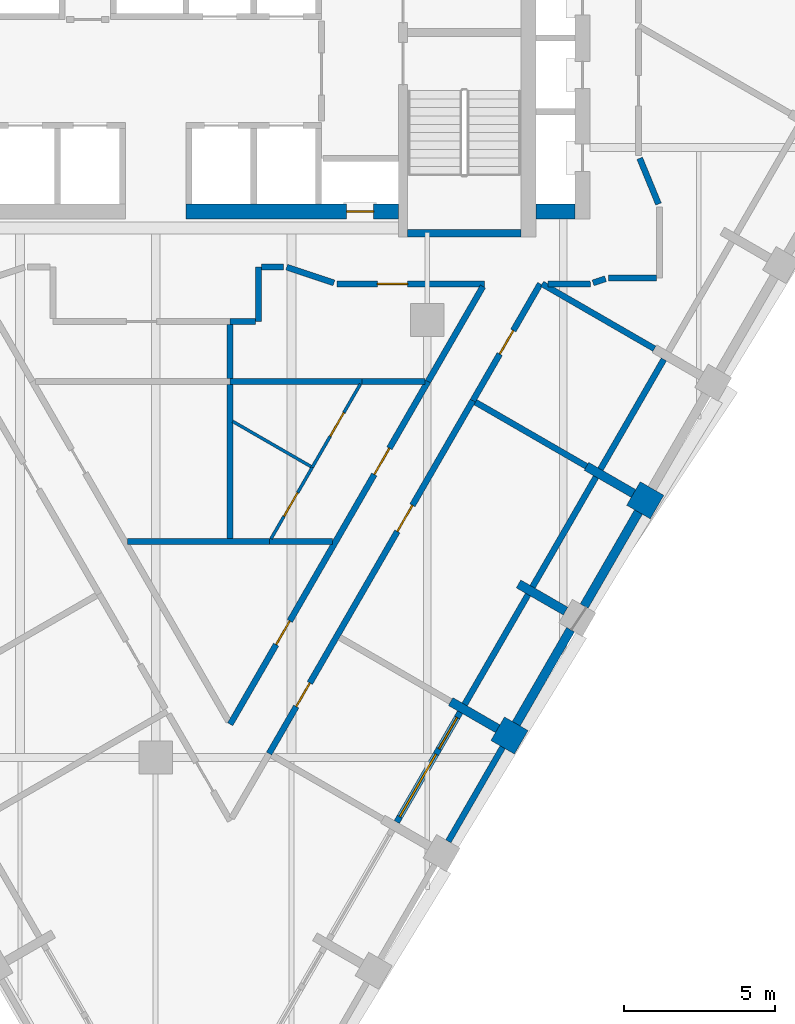
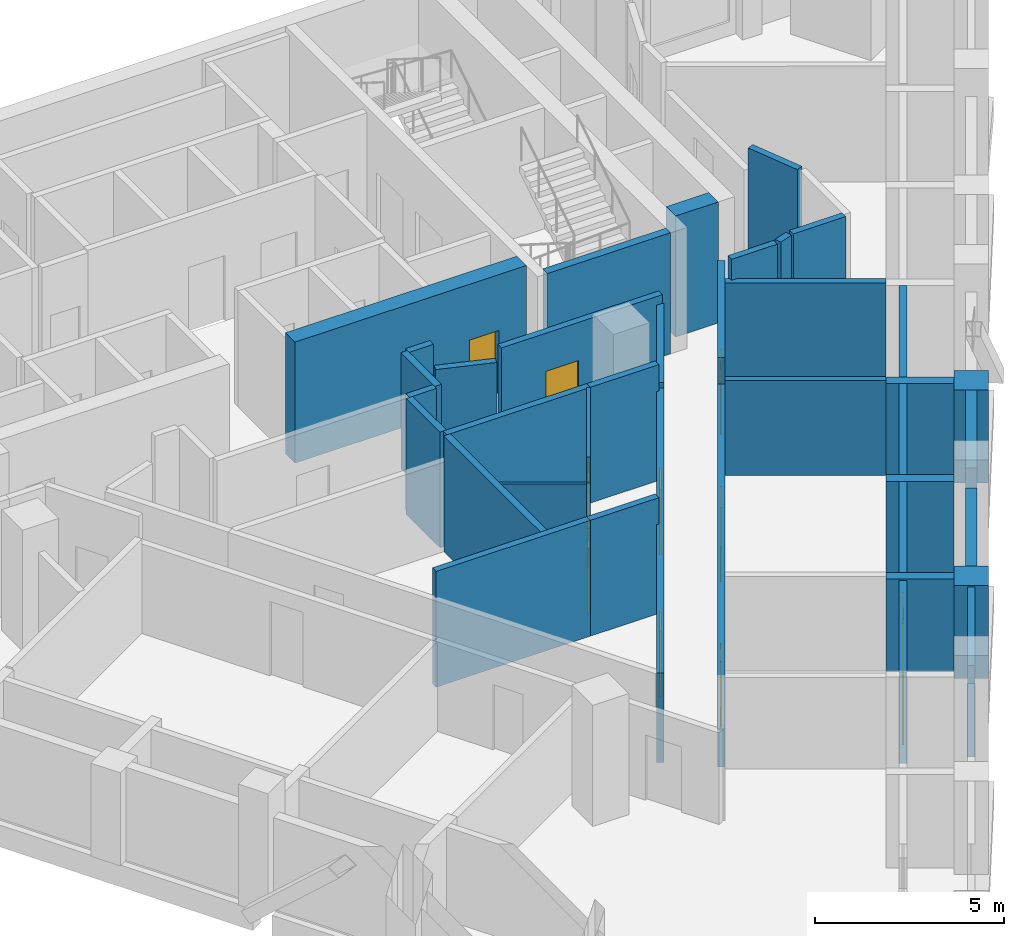
# One storey, part 4 of 9: 39 walls, 10 doors, 1 window, 11 openings.
"""IFC4 building model written with IfcOpenShell, lengths in metres."""

from ifc_helpers import new_model, si_unit, direction, frame, frame_2d, origin, place, context, subcontext, project, spatial, rectangle, extrude, material, layer, layer_set, type_object, element, fill, save


model = new_model("IFC4")

# Units and contexts
model_context = context("Model", 3, precision=1e-05, world=origin(), true_north=direction((0.0, 1.0)))
body_context = subcontext(model_context, "Body", "Model", "MODEL_VIEW")
ifc_project = project(units=[si_unit("LENGTHUNIT", "METRE"), si_unit("AREAUNIT", "SQUARE_METRE"), si_unit("VOLUMEUNIT", "CUBIC_METRE"), si_unit("PLANEANGLEUNIT", "RADIAN"), si_unit("MASSUNIT", "GRAM", prefix="KILO")], contexts=[model_context])

# Site, building, storey
site_placement = place(None, origin())
site = spatial("IfcSite", under=ifc_project, at=site_placement, CompositionType="ELEMENT")
building_placement = place(site_placement, origin())
building = spatial("IfcBuilding", under=site, at=building_placement, Name="Calabash Gate Tower", CompositionType="ELEMENT")
storey_placement = place(building_placement, frame((0.0, 0.0, 212.0)))
storey = spatial("IfcBuildingStorey", under=building, at=storey_placement, Name="L50", CompositionType="ELEMENT", Elevation=212.0)

# Walls
ifc_material_1 = material(Name="Terracotta brick masonry, exposed face", Category="masonry")
ifc_layer_1 = layer(ifc_material_1, 0.89990234375)
ifc_layer_set_1 = layer_set([ifc_layer_1], Name="Brick end wall 900")
wall_type_1 = type_object("IfcWallType", Name="Brick end wall 900", PredefinedType="SOLIDWALL", material=ifc_layer_set_1)
wall_1_placement = place(storey_placement, frame((11.49755859375, -11.65576171875, 0.0), z_axis=(0.0, 0.0, 1.0), x_axis=(0.50001992892, 0.866013897511, 0.0)))
element("IfcWall", 1, at=wall_1_placement, inside=storey, type_object=wall_type_1, Name="Brick pier S14 SE2.3", PredefinedType="SOLIDWALL", context=body_context, shape_type="SweptSolid", body=[
    extrude(rectangle(XDim=0.89990234375, YDim=0.89990234375, at=frame_2d((0.449951171875, 0.0))), origin(), (0.0, 0.0, 1.0), 3.0),
])
wall_2_placement = place(storey_placement, frame((16.6123046875, -3.697021484375, 0.0), z_axis=(0.0, 0.0, 1.0), x_axis=(-0.865964261186, 0.500105887137, 0.0)))
element("IfcWall", 2, at=wall_2_placement, inside=storey, type_object=wall_type_1, Name="Brick pier S14 SE2.5", PredefinedType="SOLIDWALL", context=body_context, shape_type="SweptSolid", body=[
    extrude(rectangle(XDim=0.900146484375, YDim=0.89990234375, at=frame_2d((0.4501953125, 0.0))), origin(), (0.0, 0.0, 1.0), 3.0),
])
ifc_material_2 = material(Name="Terracotta brick masonry, exposed face", Category="masonry")
ifc_layer_2 = layer(ifc_material_2, 0.300048828125)
ifc_layer_set_2 = layer_set([ifc_layer_2], Name="Brick infill panel wall 300")
wall_type_2 = type_object("IfcWallType", Name="Brick infill panel wall 300", PredefinedType="SOLIDWALL", material=ifc_layer_set_2)
for number, where, z_axis, x_axis, name in (
    (3, (11.947509765625, -10.87646484375, 0.0), (0.0, 0.0, 1.0), (0.500012057535, 0.866018442252, 0.0), "Brick panel S14 SE2.4"),
    (4, (14.197509765625, -6.979248046875, 0.0), (0.0, 0.0, 1.0), (0.500012057535, 0.866018442252, 0.0), "Brick panel S14 SE2.5"),
):
    element("IfcWall", number, at=place(storey_placement, frame(where, z_axis=z_axis, x_axis=x_axis)), inside=storey, type_object=wall_type_2, Name=name, PredefinedType="SOLIDWALL", context=body_context, shape_type="SweptSolid", body=[
        extrude(rectangle(XDim=3.60009765625, YDim=0.300048828125, at=frame_2d((1.800048828125, 0.0))), origin(), (0.0, 0.0, 1.0), 3.0),
    ])
ifc_material_3 = material(Name="Terracotta brick masonry, exposed face", Category="masonry")
ifc_layer_3 = layer(ifc_material_3, 0.300048828125)
ifc_layer_set_3 = layer_set([ifc_layer_3], Name="Brick loggia cheek wall 300")
wall_type_3 = type_object("IfcWallType", Name="Brick loggia cheek wall 300", PredefinedType="SOLIDWALL", material=ifc_layer_set_3)
for number, where, z_axis, x_axis, name in (
    (5, (11.332763671875, -11.041259765625, 0.0), (0.0, 0.0, 1.0), (-0.865989075817, 0.500062916607, 0.0), "Loggia cheek S14 SE2.3"),
    (6, (12.02392578125, -6.244140625, 0.0), (0.0, 0.0, 1.0), (0.866047807691, -0.499961193289, 0.0), "Loggia cheek S14 SE2.4"),
    (7, (15.832763671875, -3.246826171875, 0.0), (0.0, 0.0, 1.0), (-0.866047807691, 0.499961193289, 0.0), "Loggia cheek S14 SE2.5"),
):
    element("IfcWall", number, at=place(storey_placement, frame(where, z_axis=z_axis, x_axis=x_axis)), inside=storey, type_object=wall_type_3, Name=name, PredefinedType="SOLIDWALL", context=body_context, shape_type="SweptSolid", body=[
        extrude(rectangle(XDim=1.800048828125, YDim=0.300048828125, at=frame_2d((0.89990234375, 0.0))), origin(), (0.0, 0.0, 1.0), 3.0),
    ])
ifc_material_4 = material(Name="Concrete C70/85", Category="concrete")
ifc_layer_4 = layer(ifc_material_4, 0.25)
ifc_layer_set_4 = layer_set([ifc_layer_4], Name="Core wall 250 Concrete C70/85")
wall_type_4 = type_object("IfcWallType", Name="Core wall 250 Concrete C70/85", PredefinedType="SHEAR", material=ifc_layer_set_4)
wall_3_placement = place(storey_placement, frame((8.35009765625, 5.377685546875, 0.0), z_axis=(0.0, 0.0, 1.0), x_axis=(1.0, 0.0, 0.0)))
element("IfcWall", 8, at=wall_3_placement, inside=storey, type_object=wall_type_4, Name="Core wall Z4-SSE L50", PredefinedType="SHEAR", context=body_context, shape_type="SweptSolid", body=[
    extrude(rectangle(XDim=3.75, YDim=0.25, at=frame_2d((1.875, 0.0))), origin(), (0.0, 0.0, 1.0), 3.89990234375),
])

# Wall, opening, door
ifc_material_5 = material(Name="Concrete C70/85", Category="concrete")
ifc_layer_5 = layer(ifc_material_5, 0.5)
ifc_layer_set_5 = layer_set([ifc_layer_5], Name="Core wall 500 Concrete C70/85")
wall_type_5 = type_object("IfcWallType", Name="Core wall 500 Concrete C70/85", PredefinedType="SHEAR", material=ifc_layer_set_5)
wall_4_placement = place(storey_placement, frame((1.0, 6.1025390625, 0.0), z_axis=(0.0, 0.0, 1.0), x_axis=(1.0, 0.0, 0.0)))
wall_4 = element("IfcWall", 9, at=wall_4_placement, inside=storey, type_object=wall_type_5, Name="Core wall Z4-SB L50", PredefinedType="SHEAR", context=body_context, shape_type="SweptSolid", body=[
    extrude(rectangle(XDim=7.050048828125, YDim=0.5, at=frame_2d((3.52490234375, 0.0))), origin(), (0.0, 0.0, 1.0), 3.89990234375),
])
opening_1_placement = place(wall_4_placement, frame((5.324951171875, 0.0, 0.0)))
opening_1 = element("IfcOpeningElement", 10, at=opening_1_placement, cuts=wall_4, Name="Opening O6-015", PredefinedType="OPENING", context=body_context, shape_type="SweptSolid", body=[
    extrude(rectangle(XDim=0.89990234375, YDim=2.10009765625, at=frame_2d((0.449951171875, 1.050048828125))), frame((0.0, 0.260009765625, 0.0), z_axis=(0.0, -1.0, 0.0), x_axis=(1.0, 0.0, 0.0)), (0.0, 0.0, 1.0), 0.52001953125),
])
ifc_material_6 = material(Name="Steel fire door set with fire-resisting glazing", Category="steel")
door_type_1 = type_object("IfcDoorType", Name="Fire door D07 900x2100 FD90", OperationType="NOTDEFINED", PredefinedType="DOOR", material=ifc_material_6)
door_1_placement = place(opening_1_placement, origin())
door_1 = element("IfcDoor", 11, at=door_1_placement, inside=storey, type_object=door_type_1, Name="Mechanical Riser E door", OperationType="SINGLE_SWING_RIGHT", OverallHeight=2.10009765625, OverallWidth=0.89990234375, PredefinedType="DOOR", context=body_context, shape_type="SweptSolid", body=[
    extrude(rectangle(XDim=0.89990234375, YDim=2.10009765625, at=frame_2d((0.449951171875, 1.050048828125))), frame((0.0, 0.02490234375, 0.0), z_axis=(0.0, -1.0, 0.0), x_axis=(1.0, 0.0, 0.0)), (0.0, 0.0, 1.0), 0.050048828125),
])
fill(opening_1, door_1)

# Wall
wall_5_placement = place(storey_placement, frame((12.60009765625, 6.1025390625, 0.0), z_axis=(0.0, 0.0, 1.0), x_axis=(1.0, 0.0, 0.0)))
element("IfcWall", 12, at=wall_5_placement, inside=storey, type_object=wall_type_5, Name="Core wall Z4-SE L50", PredefinedType="SHEAR", context=body_context, shape_type="SweptSolid", body=[
    extrude(rectangle(XDim=1.2998046875, YDim=0.5, at=frame_2d((0.64990234375, 0.0))), origin(), (0.0, 0.0, 1.0), 3.89990234375),
])

# Wall, opening, door
ifc_material_7 = material(Name="Gypsum board on steel studs, mineral wool", Category="steel")
ifc_layer_6 = layer(ifc_material_7, 0.10009765625)
ifc_layer_set_6 = layer_set([ifc_layer_6], Name="Partition 100 gypsum board")
wall_type_6 = type_object("IfcWallType", Name="Partition 100 gypsum board", PredefinedType="PARTITIONING", material=ifc_layer_set_6)
wall_6_placement = place(storey_placement, frame((3.821044921875, -4.748291015625, 0.0), z_axis=(0.0, 0.0, 1.0), x_axis=(0.500518638442, 0.865725760603, 0.0)))
wall_6 = element("IfcWall", 13, at=wall_6_placement, inside=storey, type_object=wall_type_6, Name="Partition", PredefinedType="PARTITIONING", context=body_context, shape_type="SweptSolid", body=[
    extrude(rectangle(XDim=2.7333984375, YDim=0.10009765625, at=frame_2d((1.36669921875, 0.0))), origin(), (0.0, 0.0, 1.0), 2.884033203125),
])
opening_2_placement = place(wall_6_placement, frame((0.8671875, 0.0, 0.0)))
opening_2 = element("IfcOpeningElement", 14, at=opening_2_placement, cuts=wall_6, Name="Opening 49-51-017", PredefinedType="OPENING", context=body_context, shape_type="SweptSolid", body=[
    extrude(rectangle(XDim=0.89990234375, YDim=2.10009765625, at=frame_2d((0.449951171875, 1.050048828125))), frame((0.0, 0.06005859375, 0.0), z_axis=(0.0, -1.0, 0.0), x_axis=(1.0, 0.0, 0.0)), (0.0, 0.0, 1.0), 0.1201171875),
])
ifc_material_8 = material(Name="Painted timber door", Category="wood")
door_type_2 = type_object("IfcDoorType", Name="WD1 WC door 900x2100", OperationType="NOTDEFINED", PredefinedType="DOOR", material=ifc_material_8)
door_2_placement = place(opening_2_placement, origin())
door_2 = element("IfcDoor", 15, at=door_2_placement, inside=storey, type_object=door_type_2, Name="WC door", OperationType="SINGLE_SWING_LEFT", OverallHeight=2.10009765625, OverallWidth=0.89990234375, PredefinedType="DOOR", context=body_context, shape_type="SweptSolid", body=[
    extrude(rectangle(XDim=0.89990234375, YDim=2.10009765625, at=frame_2d((0.449951171875, 1.050048828125))), frame((0.0, 0.02490234375, 0.0), z_axis=(0.0, -1.0, 0.0), x_axis=(1.0, 0.0, 0.0)), (0.0, 0.0, 1.0), 0.050048828125),
])
fill(opening_2, door_2)

wall_7_placement = place(storey_placement, frame((5.188720703125, -2.37939453125, 0.0), z_axis=(0.0, 0.0, 1.0), x_axis=(0.500398861512, 0.865794998482, 0.0)))
wall_7 = element("IfcWall", 16, at=wall_7_placement, inside=storey, type_object=wall_type_6, Name="Partition", PredefinedType="PARTITIONING", context=body_context, shape_type="SweptSolid", body=[
    extrude(rectangle(XDim=3.1865234375, YDim=0.10009765625, at=frame_2d((1.59326171875, 0.0))), origin(), (0.0, 0.0, 1.0), 3.72998046875),
])
opening_3_placement = place(wall_7_placement, frame((1.1923828125, 0.0, 0.0)))
opening_3 = element("IfcOpeningElement", 17, at=opening_3_placement, cuts=wall_7, Name="Opening 49-51-018", PredefinedType="OPENING", context=body_context, shape_type="SweptSolid", body=[
    extrude(rectangle(XDim=0.89990234375, YDim=2.10009765625, at=frame_2d((0.449951171875, 1.050048828125))), frame((0.0, 0.06005859375, 0.0), z_axis=(0.0, -1.0, 0.0), x_axis=(1.0, 0.0, 0.0)), (0.0, 0.0, 1.0), 0.1201171875),
])
door_3_placement = place(opening_3_placement, origin())
door_3 = element("IfcDoor", 18, at=door_3_placement, inside=storey, type_object=door_type_2, Name="WC door", OperationType="SINGLE_SWING_RIGHT", OverallHeight=2.10009765625, OverallWidth=0.89990234375, PredefinedType="DOOR", context=body_context, shape_type="SweptSolid", body=[
    extrude(rectangle(XDim=0.89990234375, YDim=2.10009765625, at=frame_2d((0.449951171875, 1.050048828125))), frame((0.0, 0.02490234375, 0.0), z_axis=(0.0, -1.0, 0.0), x_axis=(1.0, 0.0, 0.0)), (0.0, 0.0, 1.0), 0.050048828125),
])
fill(opening_3, door_3)

# Wall
wall_8_placement = place(storey_placement, frame((2.552490234375, -0.857666015625, 0.0), z_axis=(0.0, 0.0, 1.0), x_axis=(0.866076950936, -0.499910707084, 0.0)))
element("IfcWall", 19, at=wall_8_placement, inside=storey, type_object=wall_type_6, Name="Partition", PredefinedType="PARTITIONING", context=body_context, shape_type="SweptSolid", body=[
    extrude(rectangle(XDim=2.99365234375, YDim=0.10009765625, at=frame_2d((1.496826171875, 0.0))), origin(), (0.0, 0.0, 1.0), 2.884033203125),
])

# Wall, openings, doors
ifc_material_9 = material(Name="Gypsum board on steel studs, mineral wool", Category="steel")
ifc_layer_7 = layer(ifc_material_9, 0.199951171875)
ifc_layer_set_7 = layer_set([ifc_layer_7], Name="Partition 200 gypsum board EI 60")
wall_type_7 = type_object("IfcWallType", Name="Partition 200 gypsum board EI 60", PredefinedType="PARTITIONING", material=ifc_layer_set_7)
wall_9_placement = place(storey_placement, frame((2.46923828125, -10.89306640625, 0.0), z_axis=(0.0, 0.0, 1.0), x_axis=(0.499769731946, 0.866158308296, 0.0)))
wall_9 = element("IfcWall", 20, at=wall_9_placement, inside=storey, type_object=wall_type_7, Name="Partition", PredefinedType="PARTITIONING", context=body_context, shape_type="SweptSolid", body=[
    extrude(rectangle(XDim=13.113037109375, YDim=0.199951171875, at=frame_2d((6.556640625, 0.0))), origin(), (0.0, 0.0, 1.0), 2.884033203125),
])
opening_4_placement = place(wall_9_placement, frame((3.047607421875, 0.0, 0.0)))
opening_4 = element("IfcOpeningElement", 21, at=opening_4_placement, cuts=wall_9, Name="Opening 49-51-009", PredefinedType="OPENING", context=body_context, shape_type="SweptSolid", body=[
    extrude(rectangle(XDim=0.89990234375, YDim=2.10009765625, at=frame_2d((0.449951171875, 1.050048828125))), frame((0.0, 0.10986328125, 0.0), z_axis=(0.0, -1.0, 0.0), x_axis=(1.0, 0.0, 0.0)), (0.0, 0.0, 1.0), 0.219970703125),
])
opening_5_placement = place(wall_9_placement, frame((9.5556640625, 0.0, 0.0)))
opening_5 = element("IfcOpeningElement", 22, at=opening_5_placement, cuts=wall_9, Name="Opening 49-51-016", PredefinedType="OPENING", context=body_context, shape_type="SweptSolid", body=[
    extrude(rectangle(XDim=1.0, YDim=2.10009765625, at=frame_2d((0.5, 1.050048828125))), frame((0.0, 0.10986328125, 0.0), z_axis=(0.0, -1.0, 0.0), x_axis=(1.0, 0.0, 0.0)), (0.0, 0.0, 1.0), 0.219970703125),
])
ifc_material_10 = material(Name="Steel fire door set with fire-resisting glazing", Category="steel")
door_type_3 = type_object("IfcDoorType", Name="SD3 Store door 900x2100", OperationType="NOTDEFINED", PredefinedType="DOOR", material=ifc_material_10)
door_4_placement = place(opening_4_placement, origin())
door_4 = element("IfcDoor", 23, at=door_4_placement, inside=storey, type_object=door_type_3, Name="Store door", OperationType="SINGLE_SWING_LEFT", OverallHeight=2.10009765625, OverallWidth=0.89990234375, PredefinedType="DOOR", context=body_context, shape_type="SweptSolid", body=[
    extrude(rectangle(XDim=0.89990234375, YDim=2.10009765625, at=frame_2d((0.449951171875, 1.050048828125))), frame((0.0, 0.02490234375, 0.0), z_axis=(0.0, -1.0, 0.0), x_axis=(1.0, 0.0, 0.0)), (0.0, 0.0, 1.0), 0.050048828125),
])
fill(opening_4, door_4)
ifc_material_11 = material(Name="Steel fire door set with fire-resisting glazing", Category="steel")
door_type_4 = type_object("IfcDoorType", Name="WD3 WC lobby door 1000x2100", OperationType="NOTDEFINED", PredefinedType="DOOR", material=ifc_material_11)
door_5_placement = place(opening_5_placement, origin())
door_5 = element("IfcDoor", 24, at=door_5_placement, inside=storey, type_object=door_type_4, Name="WC lobby door", OperationType="SINGLE_SWING_RIGHT", OverallHeight=2.10009765625, OverallWidth=1.0, PredefinedType="DOOR", context=body_context, shape_type="SweptSolid", body=[
    extrude(rectangle(XDim=1.0, YDim=2.10009765625, at=frame_2d((0.5, 1.050048828125))), frame((0.0, 0.02490234375, 0.0), z_axis=(0.0, -1.0, 0.0), x_axis=(1.0, 0.0, 0.0)), (0.0, 0.0, 1.0), 0.050048828125),
])
fill(opening_5, door_5)

# Walls
wall_10_placement = place(storey_placement, frame((-0.92529296875, -4.8369140625, 0.0), z_axis=(0.0, 0.0, 1.0), x_axis=(0.999999933905, 0.000363579678, 0.0)))
element("IfcWall", 25, at=wall_10_placement, inside=storey, type_object=wall_type_7, Name="Partition", PredefinedType="PARTITIONING", context=body_context, shape_type="SweptSolid", body=[
    extrude(rectangle(XDim=4.700439453125, YDim=0.199951171875, at=frame_2d((2.35009765625, 0.0))), origin(), (0.0, 0.0, 1.0), 3.72998046875),
])
wall_11_placement = place(storey_placement, frame((3.77099609375, -4.835205078125, 0.0), z_axis=(0.0, 0.0, 1.0), x_axis=(0.999999666495, -0.00081670723, 0.0)))
element("IfcWall", 26, at=wall_11_placement, inside=storey, type_object=wall_type_7, Name="Partition", PredefinedType="PARTITIONING", context=body_context, shape_type="SweptSolid", body=[
    extrude(rectangle(XDim=2.092529296875, YDim=0.199951171875, at=frame_2d((1.04638671875, 0.0))), origin(), (0.0, 0.0, 1.0), 3.72998046875),
])
wall_12_placement = place(storey_placement, frame((10.59619140625, -0.22119140625, 0.0), z_axis=(0.0, 0.0, 1.0), x_axis=(0.86582081126, -0.500354197333, 0.0)))
element("IfcWall", 27, at=wall_12_placement, inside=storey, type_object=wall_type_7, Name="Partition", PredefinedType="PARTITIONING", context=body_context, shape_type="SweptSolid", body=[
    extrude(rectangle(XDim=4.248046875, YDim=0.199951171875, at=frame_2d((2.1240234375, 0.0))), origin(), (0.0, 0.0, 1.0), 3.052001953125),
])

# Wall, openings, doors
wall_13_placement = place(storey_placement, frame((3.758544921875, -11.8642578125, 0.0), z_axis=(0.0, 0.0, 1.0), x_axis=(0.499997969693, 0.866026575979, 0.0)))
wall_13 = element("IfcWall", 28, at=wall_13_placement, inside=storey, type_object=wall_type_7, Name="Partition", PredefinedType="PARTITIONING", context=body_context, shape_type="SweptSolid", body=[
    extrude(rectangle(XDim=13.5, YDim=0.199951171875, at=frame_2d((6.75, 0.0))), origin(), (0.0, 0.0, 1.0), 2.884033203125),
])
opening_6_placement = place(wall_13_placement, frame((1.7998046875, 0.0, 0.0)))
opening_6 = element("IfcOpeningElement", 29, at=opening_6_placement, cuts=wall_13, Name="Opening 49-51-003", PredefinedType="OPENING", context=body_context, shape_type="SweptSolid", body=[
    extrude(rectangle(XDim=0.89990234375, YDim=2.10009765625, at=frame_2d((0.449951171875, 1.050048828125))), frame((0.0, 0.10986328125, 0.0), z_axis=(0.0, -1.0, 0.0), x_axis=(1.0, 0.0, 0.0)), (0.0, 0.0, 1.0), 0.219970703125),
])
opening_7_placement = place(wall_13_placement, frame((8.5, 0.0, 0.0)))
opening_7 = element("IfcOpeningElement", 30, at=opening_7_placement, cuts=wall_13, Name="Opening 49-51-004", PredefinedType="OPENING", context=body_context, shape_type="SweptSolid", body=[
    extrude(rectangle(XDim=1.0, YDim=2.39990234375, at=frame_2d((0.5, 1.199951171875))), frame((0.0, 0.10986328125, 0.0), z_axis=(0.0, -1.0, 0.0), x_axis=(1.0, 0.0, 0.0)), (0.0, 0.0, 1.0), 0.219970703125),
])
ifc_material_12 = material(Name="Painted timber door", Category="wood")
door_type_5 = type_object("IfcDoorType", Name="OD1 Office door 900x2100", OperationType="NOTDEFINED", PredefinedType="DOOR", material=ifc_material_12)
door_6_placement = place(opening_6_placement, origin())
door_6 = element("IfcDoor", 31, at=door_6_placement, inside=storey, type_object=door_type_5, Name="Office door", OperationType="SINGLE_SWING_RIGHT", OverallHeight=2.10009765625, OverallWidth=0.89990234375, PredefinedType="DOOR", context=body_context, shape_type="SweptSolid", body=[
    extrude(rectangle(XDim=0.89990234375, YDim=2.10009765625, at=frame_2d((0.449951171875, 1.050048828125))), frame((0.0, 0.02490234375, 0.0), z_axis=(0.0, -1.0, 0.0), x_axis=(1.0, 0.0, 0.0)), (0.0, 0.0, 1.0), 0.050048828125),
])
fill(opening_6, door_6)
ifc_material_13 = material(Name="Painted timber door", Category="wood")
door_type_6 = type_object("IfcDoorType", Name="OD2 Glazed office door 1000x2400", OperationType="NOTDEFINED", PredefinedType="DOOR", material=ifc_material_13)
door_7_placement = place(opening_7_placement, origin())
door_7 = element("IfcDoor", 32, at=door_7_placement, inside=storey, type_object=door_type_6, Name="Glazed office door", OperationType="SINGLE_SWING_LEFT", OverallHeight=2.39990234375, OverallWidth=1.0, PredefinedType="DOOR", context=body_context, shape_type="SweptSolid", body=[
    extrude(rectangle(XDim=1.0, YDim=2.39990234375, at=frame_2d((0.5, 1.199951171875))), frame((0.0, 0.02490234375, 0.0), z_axis=(0.0, -1.0, 0.0), x_axis=(1.0, 0.0, 0.0)), (0.0, 0.0, 1.0), 0.050048828125),
])
fill(opening_7, door_7)

# Walls
wall_14_placement = place(storey_placement, frame((2.4677734375, -4.835205078125, 0.0), z_axis=(0.0, 0.0, 1.0), x_axis=(0.0, 1.0, 0.0)))
element("IfcWall", 33, at=wall_14_placement, inside=storey, type_object=wall_type_7, Name="Partition", PredefinedType="PARTITIONING", context=body_context, shape_type="SweptSolid", body=[
    extrude(rectangle(XDim=5.19921875, YDim=0.199951171875, at=frame_2d((2.599609375, 0.0))), origin(), (0.0, 0.0, 1.0), 3.72998046875),
])
wall_15_placement = place(storey_placement, frame((6.83349609375, 0.4658203125, 0.0), z_axis=(0.0, 0.0, 1.0), x_axis=(0.999999665949, -0.000817374785, 0.0)))
element("IfcWall", 34, at=wall_15_placement, inside=storey, type_object=wall_type_7, Name="Partition", PredefinedType="PARTITIONING", context=body_context, shape_type="SweptSolid", body=[
    extrude(rectangle(XDim=2.0908203125, YDim=0.199951171875, at=frame_2d((1.04541015625, 0.0))), origin(), (0.0, 0.0, 1.0), 3.72998046875),
])
wall_16_placement = place(storey_placement, frame((2.4677734375, 0.464111328125, 0.0), z_axis=(0.0, 0.0, 1.0), x_axis=(0.999999923373, 0.000391476957, 0.0)))
element("IfcWall", 35, at=wall_16_placement, inside=storey, type_object=wall_type_7, Name="Partition", PredefinedType="PARTITIONING", context=body_context, shape_type="SweptSolid", body=[
    extrude(rectangle(XDim=4.365478515625, YDim=0.199951171875, at=frame_2d((2.1826171875, 0.0))), origin(), (0.0, 0.0, 1.0), 3.72998046875),
])
wall_17_placement = place(storey_placement, frame((9.025390625, 0.466064453125, 0.0), z_axis=(0.0, 0.0, 1.0), x_axis=(0.500421935149, 0.865781662327, 0.0)))
element("IfcWall", 36, at=wall_17_placement, inside=storey, type_object=wall_type_7, Name="Partition", PredefinedType="PARTITIONING", context=body_context, shape_type="SweptSolid", body=[
    extrude(rectangle(XDim=3.635009765625, YDim=0.199951171875, at=frame_2d((1.8173828125, 0.0))), origin(), (0.0, 0.0, 1.0), 3.052001953125),
])
wall_18_placement = place(storey_placement, frame((2.466064453125, 0.56591796875, 0.0), z_axis=(0.0, 0.0, 1.0), x_axis=(0.000820793157, 0.999999663149, 0.0)))
element("IfcWall", 37, at=wall_18_placement, inside=storey, type_object=wall_type_7, Name="Partition", PredefinedType="PARTITIONING", context=body_context, shape_type="SweptSolid", body=[
    extrude(rectangle(XDim=1.78466796875, YDim=0.199951171875, at=frame_2d((0.892333984375, 0.0))), origin(), (0.0, 0.0, 1.0), 3.72998046875),
])
wall_19_placement = place(storey_placement, frame((2.4677734375, 2.45068359375, 0.0), z_axis=(0.0, 0.0, 1.0), x_axis=(0.999997893042, 0.002052781599, 0.0)))
element("IfcWall", 38, at=wall_19_placement, inside=storey, type_object=wall_type_7, Name="Partition", PredefinedType="PARTITIONING", context=body_context, shape_type="SweptSolid", body=[
    extrude(rectangle(XDim=0.83251953125, YDim=0.199951171875, at=frame_2d((0.416259765625, 0.0))), origin(), (0.0, 0.0, 1.0), 3.72998046875),
])

# Wall, opening, door
wall_20_placement = place(storey_placement, frame((6.0, 3.69970703125, 0.0), z_axis=(0.0, 0.0, 1.0), x_axis=(1.0, 0.0, 0.0)))
wall_20 = element("IfcWall", 39, at=wall_20_placement, inside=storey, type_object=wall_type_7, Name="Partition", PredefinedType="PARTITIONING", context=body_context, shape_type="SweptSolid", body=[
    extrude(rectangle(XDim=4.894287109375, YDim=0.199951171875, at=frame_2d((2.447265625, 0.0))), origin(), (0.0, 0.0, 1.0), 3.33154296875),
])
opening_8_placement = place(wall_20_placement, frame((1.34716796875, 0.0, 0.0)))
opening_8 = element("IfcOpeningElement", 40, at=opening_8_placement, cuts=wall_20, Name="Opening 49-51-007", PredefinedType="OPENING", context=body_context, shape_type="SweptSolid", body=[
    extrude(rectangle(XDim=1.0, YDim=2.10009765625, at=frame_2d((0.5, 1.050048828125))), frame((0.0, 0.10986328125, 0.0), z_axis=(0.0, -1.0, 0.0), x_axis=(1.0, 0.0, 0.0)), (0.0, 0.0, 1.0), 0.219970703125),
])
ifc_material_14 = material(Name="Steel fire door set with fire-resisting glazing", Category="steel")
door_type_7 = type_object("IfcDoorType", Name="VD1 Vault door 1000x2100", OperationType="NOTDEFINED", PredefinedType="DOOR", material=ifc_material_14)
door_8_placement = place(opening_8_placement, origin())
door_8 = element("IfcDoor", 41, at=door_8_placement, inside=storey, type_object=door_type_7, Name="Vault door", OperationType="SINGLE_SWING_RIGHT", OverallHeight=2.10009765625, OverallWidth=1.0, PredefinedType="DOOR", context=body_context, shape_type="SweptSolid", body=[
    extrude(rectangle(XDim=1.0, YDim=2.10009765625, at=frame_2d((0.5, 1.050048828125))), frame((0.0, 0.02490234375, 0.0), z_axis=(0.0, -1.0, 0.0), x_axis=(1.0, 0.0, 0.0)), (0.0, 0.0, 1.0), 0.050048828125),
])
fill(opening_8, door_8)

wall_21_placement = place(storey_placement, frame((10.509521484375, -0.171142578125, 0.0), z_axis=(0.0, 0.0, 1.0), x_axis=(0.499676732976, 0.86621196166, 0.0)))
wall_21 = element("IfcWall", 42, at=wall_21_placement, inside=storey, type_object=wall_type_7, Name="Partition", PredefinedType="PARTITIONING", context=body_context, shape_type="SweptSolid", body=[
    extrude(rectangle(XDim=4.46875, YDim=0.199951171875, at=frame_2d((2.234375, 0.0))), origin(), (0.0, 0.0, 1.0), 3.72998046875),
])
opening_9_placement = place(wall_21_placement, frame((1.783447265625, 0.0, 0.0)))
opening_9 = element("IfcOpeningElement", 43, at=opening_9_placement, cuts=wall_21, Name="Opening 49-51-005", PredefinedType="OPENING", context=body_context, shape_type="SweptSolid", body=[
    extrude(rectangle(XDim=0.89990234375, YDim=2.10009765625, at=frame_2d((0.449951171875, 1.050048828125))), frame((0.0, 0.10986328125, 0.0), z_axis=(0.0, -1.0, 0.0), x_axis=(1.0, 0.0, 0.0)), (0.0, 0.0, 1.0), 0.219970703125),
])
door_9_placement = place(opening_9_placement, origin())
door_9 = element("IfcDoor", 44, at=door_9_placement, inside=storey, type_object=door_type_3, Name="Store door", OperationType="SINGLE_SWING_RIGHT", OverallHeight=2.10009765625, OverallWidth=0.89990234375, PredefinedType="DOOR", context=body_context, shape_type="SweptSolid", body=[
    extrude(rectangle(XDim=0.89990234375, YDim=2.10009765625, at=frame_2d((0.449951171875, 1.050048828125))), frame((0.0, 0.02490234375, 0.0), z_axis=(0.0, -1.0, 0.0), x_axis=(1.0, 0.0, 0.0)), (0.0, 0.0, 1.0), 0.050048828125),
])
fill(opening_9, door_9)

# Walls
wall_22_placement = place(storey_placement, frame((12.805419921875, 3.699462890625, 0.0), z_axis=(0.0, 0.0, 1.0), x_axis=(0.86584756398, -0.500307901146, 0.0)))
element("IfcWall", 45, at=wall_22_placement, inside=storey, type_object=wall_type_7, Name="Partition", PredefinedType="PARTITIONING", context=body_context, shape_type="SweptSolid", body=[
    extrude(rectangle(XDim=4.295166015625, YDim=0.199951171875, at=frame_2d((2.1474609375, 0.0))), origin(), (0.0, 0.0, 1.0), 3.052001953125),
])
wall_23_placement = place(storey_placement, frame((13.007568359375, 3.6982421875, 0.0), z_axis=(0.0, 0.0, 1.0), x_axis=(0.999999615671, 0.000876731208, 0.0)))
element("IfcWall", 46, at=wall_23_placement, inside=storey, type_object=wall_type_7, Name="Partition", PredefinedType="PARTITIONING", context=body_context, shape_type="SweptSolid", body=[
    extrude(rectangle(XDim=1.392333984375, YDim=0.199951171875, at=frame_2d((0.6962890625, 0.0))), origin(), (0.0, 0.0, 1.0), 3.72998046875),
])
wall_24_placement = place(storey_placement, frame((4.34228515625, 4.25244140625, 0.0), z_axis=(0.0, 0.0, 1.0), x_axis=(0.948668476379, -0.316272227557, 0.0)))
element("IfcWall", 47, at=wall_24_placement, inside=storey, type_object=wall_type_7, Name="Partition", PredefinedType="PARTITIONING", context=body_context, shape_type="SweptSolid", body=[
    extrude(rectangle(XDim=1.647216796875, YDim=0.199951171875, at=frame_2d((0.82373046875, 0.0))), origin(), (0.0, 0.0, 1.0), 2.884033203125),
])
wall_25_placement = place(storey_placement, frame((14.494873046875, 3.731201171875, 0.0), z_axis=(0.0, 0.0, 1.0), x_axis=(0.948739721949, 0.316058443957, 0.0)))
element("IfcWall", 48, at=wall_25_placement, inside=storey, type_object=wall_type_7, Name="Partition", PredefinedType="PARTITIONING", context=body_context, shape_type="SweptSolid", body=[
    extrude(rectangle(XDim=0.4326171875, YDim=0.199951171875, at=frame_2d((0.21630859375, 0.0))), origin(), (0.0, 0.0, 1.0), 3.72998046875),
])
wall_26_placement = place(storey_placement, frame((15.0, 3.8994140625, 0.0), z_axis=(0.0, 0.0, 1.0), x_axis=(0.999999953468, 0.000305064049, 0.0)))
element("IfcWall", 49, at=wall_26_placement, inside=storey, type_object=wall_type_7, Name="Partition", PredefinedType="PARTITIONING", context=body_context, shape_type="SweptSolid", body=[
    extrude(rectangle(XDim=1.6005859375, YDim=0.199951171875, at=frame_2d((0.80029296875, 0.0))), origin(), (0.0, 0.0, 1.0), 3.72998046875),
])
wall_27_placement = place(storey_placement, frame((3.400146484375, 2.452392578125, 0.0), z_axis=(0.0, 0.0, 1.0), x_axis=(0.001086217961, 0.999999410065, 0.0)))
element("IfcWall", 50, at=wall_27_placement, inside=storey, type_object=wall_type_7, Name="Partition", PredefinedType="PARTITIONING", context=body_context, shape_type="SweptSolid", body=[
    extrude(rectangle(XDim=1.798095703125, YDim=0.199951171875, at=frame_2d((0.89892578125, 0.0))), origin(), (0.0, 0.0, 1.0), 3.72998046875),
])
wall_28_placement = place(storey_placement, frame((3.501953125, 4.250732421875, 0.0), z_axis=(0.0, 0.0, 1.0), x_axis=(0.999998041999, 0.001978887946, 0.0)))
element("IfcWall", 51, at=wall_28_placement, inside=storey, type_object=wall_type_7, Name="Partition", PredefinedType="PARTITIONING", context=body_context, shape_type="SweptSolid", body=[
    extrude(rectangle(XDim=0.740234375, YDim=0.199951171875, at=frame_2d((0.3701171875, 0.0))), origin(), (0.0, 0.0, 1.0), 3.72998046875),
])
wall_29_placement = place(storey_placement, frame((16.03857421875, 7.860107421875, 0.0), z_axis=(0.0, 0.0, 1.0), x_axis=(0.380749805254, -0.924678098475, 0.0)))
element("IfcWall", 52, at=wall_29_placement, inside=storey, type_object=wall_type_7, Name="Partition", PredefinedType="PARTITIONING", context=body_context, shape_type="SweptSolid", body=[
    extrude(rectangle(XDim=1.63818359375, YDim=0.199951171875, at=frame_2d((0.819091796875, 0.0))), origin(), (0.0, 0.0, 1.0), 3.72998046875),
])
ifc_material_15 = material(Name="Terracotta brick masonry, perforated", Category="masonry")
ifc_layer_8 = layer(ifc_material_15, 0.199951171875)
ifc_layer_set_8 = layer_set([ifc_layer_8], Name="Terracotta jaali screen B")
wall_type_8 = type_object("IfcWallType", Name="Terracotta jaali screen B", PredefinedType="SOLIDWALL", material=ifc_layer_set_8)
wall_30_placement = place(storey_placement, frame((9.697509765625, -14.7734375, 0.0), z_axis=(0.0, 0.0, 1.0), x_axis=(0.500012057535, 0.866018442252, 0.0)))
element("IfcWall", 53, at=wall_30_placement, inside=storey, type_object=wall_type_8, Name="SCREEN B S14 SE2.3", PredefinedType="SOLIDWALL", context=body_context, shape_type="SweptSolid", body=[
    extrude(rectangle(XDim=3.60009765625, YDim=0.199951171875, at=frame_2d((1.800048828125, 0.0))), origin(), (0.0, 0.0, 1.0), 2.9501953125),
])

# Wall, openings, door, window
ifc_material_16 = material(Name="Aluminium framed window wall with insulated spandrel", Category="aluminium")
ifc_layer_9 = layer(ifc_material_16, 0.199951171875)
ifc_layer_set_9 = layer_set([ifc_layer_9], Name="Window wall 200")
wall_type_9 = type_object("IfcWallType", Name="Window wall 200", PredefinedType="ELEMENTEDWALL", material=ifc_layer_set_9)
wall_31_placement = place(storey_placement, frame((7.98876953125, -14.13330078125, 0.0), z_axis=(0.0, 0.0, 1.0), x_axis=(0.500027713859, 0.866009402589, 0.0)))
wall_31 = element("IfcWall", 54, at=wall_31_placement, inside=storey, type_object=wall_type_9, Name="Window wall S14 SE2.3", PredefinedType="ELEMENTEDWALL", context=body_context, shape_type="SweptSolid", body=[
    extrude(rectangle(XDim=4.199951171875, YDim=0.199951171875, at=frame_2d((2.10009765625, 0.0))), origin(), (0.0, 0.0, 1.0), 2.9501953125),
])
opening_10_placement = place(wall_31_placement, frame((0.199951171875, 0.0, 0.449951171875)))
opening_10 = element("IfcOpeningElement", 55, at=opening_10_placement, cuts=wall_31, Name="Opening OW1", PredefinedType="OPENING", context=body_context, shape_type="SweptSolid", body=[
    extrude(rectangle(XDim=2.39990234375, YDim=2.25, at=frame_2d((1.199951171875, 1.125))), frame((0.0, 0.10986328125, 0.0), z_axis=(0.0, -1.0, 0.0), x_axis=(1.0, 0.0, 0.0)), (0.0, 0.0, 1.0), 0.219970703125),
])
opening_11_placement = place(wall_31_placement, frame((2.800048828125, 0.0, 0.0)))
opening_11 = element("IfcOpeningElement", 56, at=opening_11_placement, cuts=wall_31, Name="Opening O6-023", PredefinedType="OPENING", context=body_context, shape_type="SweptSolid", body=[
    extrude(rectangle(XDim=1.199951171875, YDim=2.699951171875, at=frame_2d((0.60009765625, 1.35009765625))), frame((0.0, 0.10986328125, 0.0), z_axis=(0.0, -1.0, 0.0), x_axis=(1.0, 0.0, 0.0)), (0.0, 0.0, 1.0), 0.219970703125),
])
ifc_material_17 = material(Name="Anodised aluminium frame, bronze finish, impact-rated laminated clear glazing", Category="aluminium")
door_type_8 = type_object("IfcDoorType", Name="Loggia door DO1 1200x2700", OperationType="SLIDING_TO_LEFT", PredefinedType="DOOR", material=ifc_material_17)
door_10_placement = place(opening_11_placement, origin())
door_10 = element("IfcDoor", 57, at=door_10_placement, inside=storey, type_object=door_type_8, Name="Loggia door S14 SE2.3", OperationType="SINGLE_SWING_LEFT", OverallHeight=2.699951171875, OverallWidth=1.199951171875, PredefinedType="DOOR", context=body_context, shape_type="SweptSolid", body=[
    extrude(rectangle(XDim=1.199951171875, YDim=2.699951171875, at=frame_2d((0.60009765625, 1.35009765625))), frame((0.0, 0.02490234375, 0.0), z_axis=(0.0, -1.0, 0.0), x_axis=(1.0, 0.0, 0.0)), (0.0, 0.0, 1.0), 0.050048828125),
])
fill(opening_11, door_10)
ifc_material_18 = material(Name="Anodised aluminium frame, bronze finish, impact-rated laminated clear glazing", Category="aluminium")
window_type = type_object("IfcWindowType", Name="Window OW1 2400x2250", PartitioningType="DOUBLE_PANEL_VERTICAL", PredefinedType="WINDOW", material=ifc_material_18)
window_placement = place(opening_10_placement, origin())
window = element("IfcWindow", 58, at=window_placement, inside=storey, type_object=window_type, Name="Window OW1 S14 SE2.3", OverallHeight=2.25, OverallWidth=2.39990234375, PartitioningType="SINGLE_PANEL", PredefinedType="WINDOW", context=body_context, shape_type="SweptSolid", body=[
    extrude(rectangle(XDim=2.39990234375, YDim=2.25, at=frame_2d((1.199951171875, 1.125))), frame((0.0, 0.030029296875, 0.0), z_axis=(0.0, -1.0, 0.0), x_axis=(1.0, 0.0, 0.0)), (0.0, 0.0, 1.0), 0.06005859375),
])
fill(opening_10, window)

# Walls
wall_32_placement = place(storey_placement, frame((10.23876953125, -10.236328125, 0.0), z_axis=(0.0, 0.0, 1.0), x_axis=(0.500002543286, 0.866023935413, 0.0)))
element("IfcWall", 59, at=wall_32_placement, inside=storey, type_object=wall_type_9, Name="Window wall S14 SE2.4", PredefinedType="ELEMENTEDWALL", context=body_context, shape_type="SweptSolid", body=[
    extrude(rectangle(XDim=4.2001953125, YDim=0.199951171875, at=frame_2d((2.10009765625, 0.0))), origin(), (0.0, 0.0, 1.0), 3.0),
])
for number, where, z_axis, x_axis, name in (
    (60, (12.48876953125, -6.339111328125, 0.0), (0.0, 0.0, 1.0), (0.500027713859, 0.866009402589, 0.0), "Window wall S14 SE2.5"),
    (61, (14.73876953125, -2.44189453125, 0.0), (0.0, 0.0, 1.0), (0.500027713859, 0.866009402589, 0.0), "Window wall S14 SE2.6"),
):
    element("IfcWall", number, at=place(storey_placement, frame(where, z_axis=z_axis, x_axis=x_axis)), inside=storey, type_object=wall_type_9, Name=name, PredefinedType="ELEMENTEDWALL", context=body_context, shape_type="SweptSolid", body=[
        extrude(rectangle(XDim=4.199951171875, YDim=0.199951171875, at=frame_2d((2.10009765625, 0.0))), origin(), (0.0, 0.0, 1.0), 3.0),
    ])

save(model, "model.ifc")
